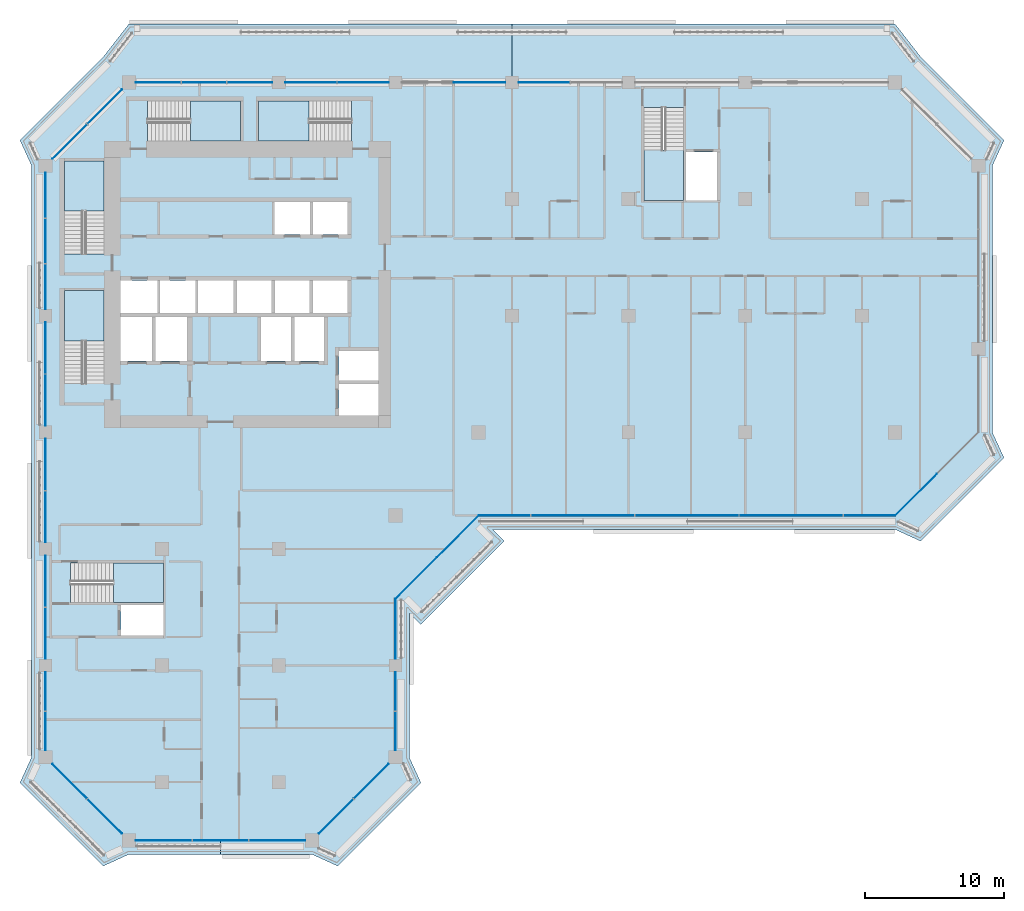
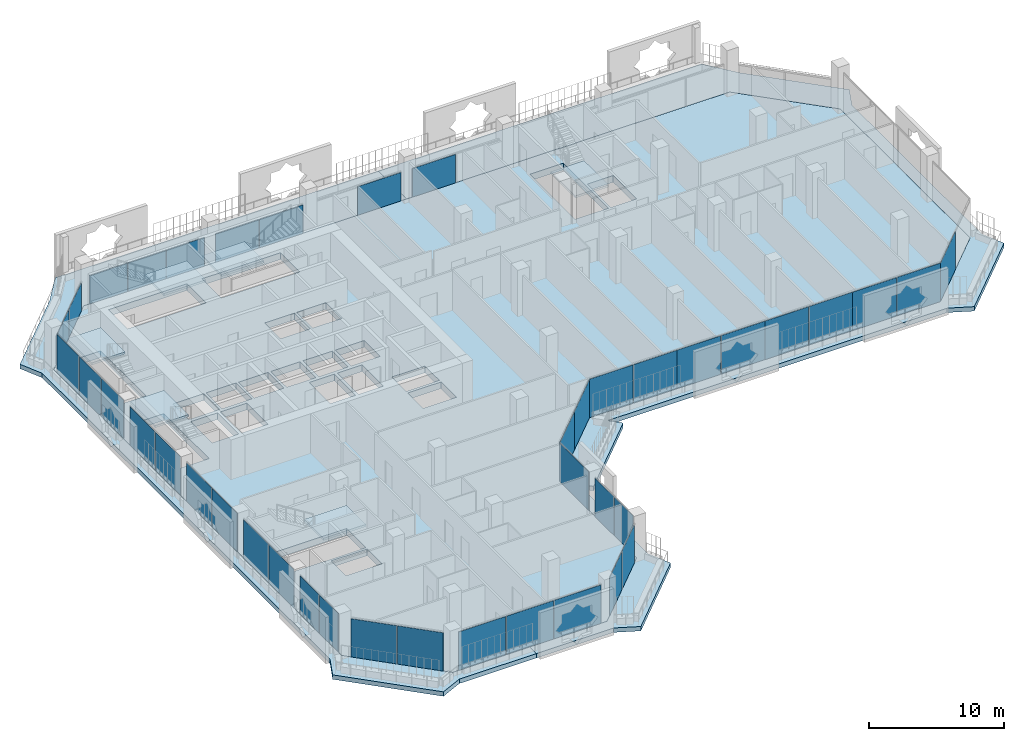
# One storey, part 8 of 21: 41 plates, 9 slabs, 16 elements without a shape of their own.
"""IFC4 building model written with IfcOpenShell, lengths in metres."""

from ifc_helpers import new_model, si_unit, direction, frame, origin, origin_2d, place, context, subcontext, project, spatial, polyline, rectangle, outline, extrude, material, layer, layer_set, type_object, element, aggregate, save


model = new_model("IFC4")

# Units and contexts
model_context = context("Model", 3, precision=1e-05, world=origin(), true_north=direction((0.0, 1.0)))
body_context = subcontext(model_context, "Body", "Model", "MODEL_VIEW")
ifc_project = project(units=[si_unit("LENGTHUNIT", "METRE"), si_unit("AREAUNIT", "SQUARE_METRE"), si_unit("VOLUMEUNIT", "CUBIC_METRE"), si_unit("PLANEANGLEUNIT", "RADIAN"), si_unit("MASSUNIT", "GRAM", prefix="KILO")], contexts=[model_context])

# Site, building, storey
site_placement = place(None, origin())
site = spatial("IfcSite", under=ifc_project, at=site_placement, CompositionType="ELEMENT")
building_placement = place(site_placement, origin())
building = spatial("IfcBuilding", under=site, at=building_placement, Name="Kawkab Arch Medical Tower", CompositionType="ELEMENT")
storey_placement = place(building_placement, frame((0.0, 0.0, 192.0)))
storey = spatial("IfcBuildingStorey", under=building, at=storey_placement, Name="L44", CompositionType="ELEMENT", Elevation=192.0)

# Curtain wall, plates
ifc_material_1 = material(Name="Bronze anodised aluminium curtain wall frame", Category="aluminium")
ifc_layer_1 = layer(ifc_material_1, 0.159912109375)
ifc_layer_set_1 = layer_set([ifc_layer_1], Name="Bronze anodised aluminium curtain wall frame")
curtain_wall_type_1 = type_object("IfcCurtainWallType", Name="CW1 ward curtain wall", PredefinedType="NOTDEFINED", material=ifc_layer_set_1)
placement_1 = place(storey_placement, origin())
curtain_wall_1 = element("IfcCurtainWall", 1, at=placement_1, inside=storey, type_object=curtain_wall_type_1, Name="CW1 Ward curtain wall R01", PredefinedType="NOTDEFINED")
ifc_material_2 = material(Name="Tinted insulating glass, bronze low-e coating", Category="glass")
ifc_layer_2 = layer(ifc_material_2, 0.031982421875)
ifc_layer_set_2 = layer_set([ifc_layer_2], Name="Tinted insulating glass, bronze low-e coating")
plate_type_1 = type_object("IfcPlateType", Name="CW1 glazing unit 32", PredefinedType="CURTAIN_PANEL", material=ifc_layer_set_2)
plate_1_placement = place(storey_placement, frame((0.0, -8.12255859375, 0.0), z_axis=(0.0, 0.0, 1.0), x_axis=(0.0, -1.0, 0.0)))
plate_1 = element("IfcPlate", 2, at=plate_1_placement, type_object=plate_type_1, Name="CW1 glazing unit 1.1", PredefinedType="CURTAIN_PANEL", context=body_context, shape_type="SweptSolid", body=[
    extrude(rectangle(XDim=3.2451171875, YDim=0.031982421875, at=origin_2d()), origin(), (0.0, 0.0, 1.0), 3.47998046875),
])
plate_2_placement = place(storey_placement, frame((0.0, -11.41259765625, 0.0), z_axis=(0.0, 0.0, 1.0), x_axis=(0.0, -1.0, 0.0)))
plate_2 = element("IfcPlate", 3, at=plate_2_placement, type_object=plate_type_1, Name="CW1 glazing unit 1.2", PredefinedType="CURTAIN_PANEL", context=body_context, shape_type="SweptSolid", body=[
    extrude(rectangle(XDim=3.215087890625, YDim=0.031982421875, at=origin_2d()), origin(), (0.0, 0.0, 1.0), 3.47998046875),
])
plate_3_placement = place(storey_placement, frame((0.0, -14.702392578125, 0.0), z_axis=(0.0, 0.0, 1.0), x_axis=(0.0, -1.0, 0.0)))
plate_3 = element("IfcPlate", 4, at=plate_3_placement, type_object=plate_type_1, Name="CW1 glazing unit 1.3", PredefinedType="CURTAIN_PANEL", context=body_context, shape_type="SweptSolid", body=[
    extrude(rectangle(XDim=3.2451171875, YDim=0.031982421875, at=origin_2d()), origin(), (0.0, 0.0, 1.0), 3.47998046875),
])
plate_4_placement = place(storey_placement, frame((0.0, -19.12255859375, 0.0), z_axis=(0.0, 0.0, 1.0), x_axis=(0.0, -1.0, 0.0)))
plate_4 = element("IfcPlate", 5, at=plate_4_placement, type_object=plate_type_1, Name="CW1 glazing unit 2.1", PredefinedType="CURTAIN_PANEL", context=body_context, shape_type="SweptSolid", body=[
    extrude(rectangle(XDim=3.695068359375, YDim=0.031982421875, at=origin_2d()), origin(), (0.0, 0.0, 1.0), 3.47998046875),
])
plate_5_placement = place(storey_placement, frame((0.0, -22.87744140625, 0.0), z_axis=(0.0, 0.0, 1.0), x_axis=(0.0, -1.0, 0.0)))
plate_5 = element("IfcPlate", 6, at=plate_5_placement, type_object=plate_type_1, Name="CW1 glazing unit 2.2", PredefinedType="CURTAIN_PANEL", context=body_context, shape_type="SweptSolid", body=[
    extrude(rectangle(XDim=3.695068359375, YDim=0.031982421875, at=origin_2d()), origin(), (0.0, 0.0, 1.0), 3.47998046875),
])
plate_6_placement = place(storey_placement, frame((0.0, -27.5224609375, 0.0), z_axis=(0.0, 0.0, 1.0), x_axis=(0.0, -1.0, 0.0)))
plate_6 = element("IfcPlate", 7, at=plate_6_placement, type_object=plate_type_1, Name="CW1 glazing unit 3.1", PredefinedType="CURTAIN_PANEL", context=body_context, shape_type="SweptSolid", body=[
    extrude(rectangle(XDim=3.695068359375, YDim=0.031982421875, at=origin_2d()), origin(), (0.0, 0.0, 1.0), 3.47998046875),
])
plate_7_placement = place(storey_placement, frame((0.0, -31.277587890625, 0.0), z_axis=(0.0, 0.0, 1.0), x_axis=(0.0, -1.0, 0.0)))
plate_7 = element("IfcPlate", 8, at=plate_7_placement, type_object=plate_type_1, Name="CW1 glazing unit 3.2", PredefinedType="CURTAIN_PANEL", context=body_context, shape_type="SweptSolid", body=[
    extrude(rectangle(XDim=3.695068359375, YDim=0.031982421875, at=origin_2d()), origin(), (0.0, 0.0, 1.0), 3.47998046875),
])
plate_8_placement = place(storey_placement, frame((0.0, -35.922607421875, 0.0), z_axis=(0.0, 0.0, 1.0), x_axis=(0.0, -1.0, 0.0)))
plate_8 = element("IfcPlate", 9, at=plate_8_placement, type_object=plate_type_1, Name="CW1 glazing unit 4.1", PredefinedType="CURTAIN_PANEL", context=body_context, shape_type="SweptSolid", body=[
    extrude(rectangle(XDim=3.695068359375, YDim=0.031982421875, at=origin_2d()), origin(), (0.0, 0.0, 1.0), 3.47998046875),
])
plate_9_placement = place(storey_placement, frame((0.0, -39.677490234375, 0.0), z_axis=(0.0, 0.0, 1.0), x_axis=(0.0, -1.0, 0.0)))
plate_9 = element("IfcPlate", 10, at=plate_9_placement, type_object=plate_type_1, Name="CW1 glazing unit 4.2", PredefinedType="CURTAIN_PANEL", context=body_context, shape_type="SweptSolid", body=[
    extrude(rectangle(XDim=3.695068359375, YDim=0.031982421875, at=origin_2d()), origin(), (0.0, 0.0, 1.0), 3.47998046875),
])
plate_10_placement = place(storey_placement, frame((0.0, -43.8662109375, 0.0), z_axis=(0.0, 0.0, 1.0), x_axis=(0.0, -1.0, 0.0)))
plate_10 = element("IfcPlate", 11, at=plate_10_placement, type_object=plate_type_1, Name="CW1 glazing unit 5.1", PredefinedType="CURTAIN_PANEL", context=body_context, shape_type="SweptSolid", body=[
    extrude(rectangle(XDim=2.782470703125, YDim=0.031982421875, at=origin_2d()), origin(), (0.0, 0.0, 1.0), 3.47998046875),
])
plate_11_placement = place(storey_placement, frame((0.0, -46.708740234375, 0.0), z_axis=(0.0, 0.0, 1.0), x_axis=(0.0, -1.0, 0.0)))
plate_11 = element("IfcPlate", 12, at=plate_11_placement, type_object=plate_type_1, Name="CW1 glazing unit 5.2", PredefinedType="CURTAIN_PANEL", context=body_context, shape_type="SweptSolid", body=[
    extrude(rectangle(XDim=2.782470703125, YDim=0.031982421875, at=origin_2d()), origin(), (0.0, 0.0, 1.0), 3.47998046875),
])
aggregate(curtain_wall_1, [plate_1, plate_2, plate_3, plate_4, plate_5, plate_6, plate_7, plate_8, plate_9, plate_10, plate_11])

curtain_wall_2 = element("IfcCurtainWall", 13, at=placement_1, inside=storey, type_object=curtain_wall_type_1, Name="CW1 Ward curtain wall R03", PredefinedType="NOTDEFINED")
plate_12_placement = place(storey_placement, frame((8.518310546875, -54.60009765625, 0.0), z_axis=(0.0, 0.0, 1.0), x_axis=(1.0, 0.0, 0.0)))
plate_12 = element("IfcPlate", 14, at=plate_12_placement, type_object=plate_type_1, Name="CW1 glazing unit 1.1", PredefinedType="CURTAIN_PANEL", context=body_context, shape_type="SweptSolid", body=[
    extrude(rectangle(XDim=4.03662109375, YDim=0.031982421875, at=origin_2d()), origin(), (0.0, 0.0, 1.0), 3.47998046875),
])
plate_13_placement = place(storey_placement, frame((12.60009765625, -54.60009765625, 0.0), z_axis=(0.0, 0.0, 1.0), x_axis=(1.0, 0.0, 0.0)))
plate_13 = element("IfcPlate", 15, at=plate_13_placement, type_object=plate_type_1, Name="CW1 glazing unit 1.2", PredefinedType="CURTAIN_PANEL", context=body_context, shape_type="SweptSolid", body=[
    extrude(rectangle(XDim=4.006591796875, YDim=0.031982421875, at=origin_2d()), origin(), (0.0, 0.0, 1.0), 3.47998046875),
])
plate_14_placement = place(storey_placement, frame((16.681640625, -54.60009765625, 0.0), z_axis=(0.0, 0.0, 1.0), x_axis=(1.0, 0.0, 0.0)))
plate_14 = element("IfcPlate", 16, at=plate_14_placement, type_object=plate_type_1, Name="CW1 glazing unit 1.3", PredefinedType="CURTAIN_PANEL", context=body_context, shape_type="SweptSolid", body=[
    extrude(rectangle(XDim=4.03662109375, YDim=0.031982421875, at=origin_2d()), origin(), (0.0, 0.0, 1.0), 3.47998046875),
])
aggregate(curtain_wall_2, [plate_12, plate_13, plate_14])

curtain_wall_3 = element("IfcCurtainWall", 17, at=placement_1, inside=storey, type_object=curtain_wall_type_1, Name="CW1 Ward curtain wall R05", PredefinedType="NOTDEFINED")
plate_15_placement = place(storey_placement, frame((25.199951171875, -46.708740234375, 0.0), z_axis=(0.0, 0.0, 1.0), x_axis=(0.0, 1.0, 0.0)))
plate_15 = element("IfcPlate", 18, at=plate_15_placement, type_object=plate_type_1, Name="CW1 glazing unit 1.1", PredefinedType="CURTAIN_PANEL", context=body_context, shape_type="SweptSolid", body=[
    extrude(rectangle(XDim=2.782470703125, YDim=0.031982421875, at=origin_2d()), origin(), (0.0, 0.0, 1.0), 3.47998046875),
])
plate_16_placement = place(storey_placement, frame((25.199951171875, -43.8662109375, 0.0), z_axis=(0.0, 0.0, 1.0), x_axis=(0.0, 1.0, 0.0)))
plate_16 = element("IfcPlate", 19, at=plate_16_placement, type_object=plate_type_1, Name="CW1 glazing unit 1.2", PredefinedType="CURTAIN_PANEL", context=body_context, shape_type="SweptSolid", body=[
    extrude(rectangle(XDim=2.782470703125, YDim=0.031982421875, at=origin_2d()), origin(), (0.0, 0.0, 1.0), 3.47998046875),
])
plate_17_placement = place(storey_placement, frame((25.199951171875, -39.362548828125, 0.0), z_axis=(0.0, 0.0, 1.0), x_axis=(0.0, 1.0, 0.0)))
plate_17 = element("IfcPlate", 20, at=plate_17_placement, type_object=plate_type_1, Name="CW1 glazing unit 2.1", PredefinedType="CURTAIN_PANEL", context=body_context, shape_type="SweptSolid", body=[
    extrude(rectangle(XDim=4.324951171875, YDim=0.031982421875, at=origin_2d()), origin(), (0.0, 0.0, 1.0), 3.47998046875),
])
aggregate(curtain_wall_3, [plate_15, plate_16, plate_17])

curtain_wall_4 = element("IfcCurtainWall", 21, at=placement_1, inside=storey, type_object=curtain_wall_type_1, Name="CW1 Ward curtain wall R07", PredefinedType="NOTDEFINED")
plate_18_placement = place(storey_placement, frame((33.06005859375, -31.199951171875, 0.0), z_axis=(0.0, 0.0, 1.0), x_axis=(1.0, 0.0, 0.0)))
plate_18 = element("IfcPlate", 22, at=plate_18_placement, type_object=plate_type_1, Name="CW1 glazing unit 1.1", PredefinedType="CURTAIN_PANEL", context=body_context, shape_type="SweptSolid", body=[
    extrude(rectangle(XDim=3.719970703125, YDim=0.031982421875, at=origin_2d()), origin(), (0.0, 0.0, 1.0), 3.47998046875),
])
plate_19_placement = place(storey_placement, frame((36.840087890625, -31.199951171875, 0.0), z_axis=(0.0, 0.0, 1.0), x_axis=(1.0, 0.0, 0.0)))
plate_19 = element("IfcPlate", 23, at=plate_19_placement, type_object=plate_type_1, Name="CW1 glazing unit 1.2", PredefinedType="CURTAIN_PANEL", context=body_context, shape_type="SweptSolid", body=[
    extrude(rectangle(XDim=3.719970703125, YDim=0.031982421875, at=origin_2d()), origin(), (0.0, 0.0, 1.0), 3.47998046875),
])
plate_20_placement = place(storey_placement, frame((40.56005859375, -31.199951171875, 0.0), z_axis=(0.0, 0.0, 1.0), x_axis=(1.0, 0.0, 0.0)))
plate_20 = element("IfcPlate", 24, at=plate_20_placement, type_object=plate_type_1, Name="CW1 glazing unit 2.1", PredefinedType="CURTAIN_PANEL", context=body_context, shape_type="SweptSolid", body=[
    extrude(rectangle(XDim=3.719970703125, YDim=0.031982421875, at=origin_2d()), origin(), (0.0, 0.0, 1.0), 3.47998046875),
])
plate_21_placement = place(storey_placement, frame((44.340087890625, -31.199951171875, 0.0), z_axis=(0.0, 0.0, 1.0), x_axis=(1.0, 0.0, 0.0)))
plate_21 = element("IfcPlate", 25, at=plate_21_placement, type_object=plate_type_1, Name="CW1 glazing unit 2.2", PredefinedType="CURTAIN_PANEL", context=body_context, shape_type="SweptSolid", body=[
    extrude(rectangle(XDim=3.719970703125, YDim=0.031982421875, at=origin_2d()), origin(), (0.0, 0.0, 1.0), 3.47998046875),
])
plate_22_placement = place(storey_placement, frame((48.06005859375, -31.199951171875, 0.0), z_axis=(0.0, 0.0, 1.0), x_axis=(1.0, 0.0, 0.0)))
plate_22 = element("IfcPlate", 26, at=plate_22_placement, type_object=plate_type_1, Name="CW1 glazing unit 3.1", PredefinedType="CURTAIN_PANEL", context=body_context, shape_type="SweptSolid", body=[
    extrude(rectangle(XDim=3.719970703125, YDim=0.031982421875, at=origin_2d()), origin(), (0.0, 0.0, 1.0), 3.47998046875),
])
plate_23_placement = place(storey_placement, frame((51.840087890625, -31.199951171875, 0.0), z_axis=(0.0, 0.0, 1.0), x_axis=(1.0, 0.0, 0.0)))
plate_23 = element("IfcPlate", 27, at=plate_23_placement, type_object=plate_type_1, Name="CW1 glazing unit 3.2", PredefinedType="CURTAIN_PANEL", context=body_context, shape_type="SweptSolid", body=[
    extrude(rectangle(XDim=3.719970703125, YDim=0.031982421875, at=origin_2d()), origin(), (0.0, 0.0, 1.0), 3.47998046875),
])
plate_24_placement = place(storey_placement, frame((55.56005859375, -31.199951171875, 0.0), z_axis=(0.0, 0.0, 1.0), x_axis=(1.0, 0.0, 0.0)))
plate_24 = element("IfcPlate", 28, at=plate_24_placement, type_object=plate_type_1, Name="CW1 glazing unit 4.1", PredefinedType="CURTAIN_PANEL", context=body_context, shape_type="SweptSolid", body=[
    extrude(rectangle(XDim=3.719970703125, YDim=0.031982421875, at=origin_2d()), origin(), (0.0, 0.0, 1.0), 3.47998046875),
])
plate_25_placement = place(storey_placement, frame((59.340087890625, -31.199951171875, 0.0), z_axis=(0.0, 0.0, 1.0), x_axis=(1.0, 0.0, 0.0)))
plate_25 = element("IfcPlate", 29, at=plate_25_placement, type_object=plate_type_1, Name="CW1 glazing unit 4.2", PredefinedType="CURTAIN_PANEL", context=body_context, shape_type="SweptSolid", body=[
    extrude(rectangle(XDim=3.719970703125, YDim=0.031982421875, at=origin_2d()), origin(), (0.0, 0.0, 1.0), 3.47998046875),
])
aggregate(curtain_wall_4, [plate_18, plate_19, plate_20, plate_21, plate_22, plate_23, plate_24, plate_25])

curtain_wall_5 = element("IfcCurtainWall", 30, at=placement_1, inside=storey, type_object=curtain_wall_type_1, Name="CW1 Ward curtain wall R11", PredefinedType="NOTDEFINED")
plate_26_placement = place(storey_placement, frame((35.922607421875, 0.0, 0.0), z_axis=(0.0, 0.0, 1.0), x_axis=(-1.0, 0.0, 0.0)))
plate_26 = element("IfcPlate", 31, at=plate_26_placement, type_object=plate_type_1, Name="CW1 glazing unit 3.2", PredefinedType="CURTAIN_PANEL", context=body_context, shape_type="SweptSolid", body=[
    extrude(rectangle(XDim=3.695068359375, YDim=0.031982421875, at=origin_2d()), origin(), (0.0, 0.0, 1.0), 2.580078125),
])
plate_27_placement = place(storey_placement, frame((31.262451171875, 0.0, 0.0), z_axis=(0.0, 0.0, 1.0), x_axis=(-1.0, 0.0, 0.0)))
plate_27 = element("IfcPlate", 32, at=plate_27_placement, type_object=plate_type_1, Name="CW1 glazing unit 4.1", PredefinedType="CURTAIN_PANEL", context=body_context, shape_type="SweptSolid", body=[
    extrude(rectangle(XDim=3.72509765625, YDim=0.031982421875, at=origin_2d()), origin(), (0.0, 0.0, 1.0), 2.580078125),
])
plate_28_placement = place(storey_placement, frame((22.87744140625, 0.0, 0.0), z_axis=(0.0, 0.0, 1.0), x_axis=(-1.0, 0.0, 0.0)))
plate_28 = element("IfcPlate", 33, at=plate_28_placement, type_object=plate_type_1, Name="CW1 glazing unit 5.1", PredefinedType="CURTAIN_PANEL", context=body_context, shape_type="SweptSolid", body=[
    extrude(rectangle(XDim=3.695068359375, YDim=0.031982421875, at=origin_2d()), origin(), (0.0, 0.0, 1.0), 2.580078125),
])
plate_29_placement = place(storey_placement, frame((19.12255859375, 0.0, 0.0), z_axis=(0.0, 0.0, 1.0), x_axis=(-1.0, 0.0, 0.0)))
plate_29 = element("IfcPlate", 34, at=plate_29_placement, type_object=plate_type_1, Name="CW1 glazing unit 5.2", PredefinedType="CURTAIN_PANEL", context=body_context, shape_type="SweptSolid", body=[
    extrude(rectangle(XDim=3.695068359375, YDim=0.031982421875, at=origin_2d()), origin(), (0.0, 0.0, 1.0), 2.580078125),
])
plate_30_placement = place(storey_placement, frame((14.702392578125, 0.0, 0.0), z_axis=(0.0, 0.0, 1.0), x_axis=(-1.0, 0.0, 0.0)))
plate_30 = element("IfcPlate", 35, at=plate_30_placement, type_object=plate_type_1, Name="CW1 glazing unit 6.1", PredefinedType="CURTAIN_PANEL", context=body_context, shape_type="SweptSolid", body=[
    extrude(rectangle(XDim=3.2451171875, YDim=0.031982421875, at=origin_2d()), origin(), (0.0, 0.0, 1.0), 2.580078125),
])
plate_31_placement = place(storey_placement, frame((11.41259765625, 0.0, 0.0), z_axis=(0.0, 0.0, 1.0), x_axis=(-1.0, 0.0, 0.0)))
plate_31 = element("IfcPlate", 36, at=plate_31_placement, type_object=plate_type_1, Name="CW1 glazing unit 6.2", PredefinedType="CURTAIN_PANEL", context=body_context, shape_type="SweptSolid", body=[
    extrude(rectangle(XDim=3.215087890625, YDim=0.031982421875, at=origin_2d()), origin(), (0.0, 0.0, 1.0), 2.580078125),
])
plate_32_placement = place(storey_placement, frame((8.12255859375, 0.0, 0.0), z_axis=(0.0, 0.0, 1.0), x_axis=(-1.0, 0.0, 0.0)))
plate_32 = element("IfcPlate", 37, at=plate_32_placement, type_object=plate_type_1, Name="CW1 glazing unit 6.3", PredefinedType="CURTAIN_PANEL", context=body_context, shape_type="SweptSolid", body=[
    extrude(rectangle(XDim=3.2451171875, YDim=0.031982421875, at=origin_2d()), origin(), (0.0, 0.0, 1.0), 2.580078125),
])
aggregate(curtain_wall_5, [plate_26, plate_27, plate_28, plate_29, plate_30, plate_31, plate_32])

ifc_material_3 = material(Name="Bronze anodised aluminium curtain wall frame", Category="aluminium")
ifc_layer_3 = layer(ifc_material_3, 0.159912109375)
ifc_layer_set_3 = layer_set([ifc_layer_3], Name="Bronze anodised aluminium curtain wall frame")
curtain_wall_type_2 = type_object("IfcCurtainWallType", Name="CW2 chamfer curtain wall", PredefinedType="NOTDEFINED", material=ifc_layer_set_3)
curtain_wall_6 = element("IfcCurtainWall", 38, at=placement_1, inside=storey, type_object=curtain_wall_type_2, Name="CW2 Chamfer curtain wall R02", PredefinedType="NOTDEFINED")
ifc_material_4 = material(Name="Tinted insulating glass, bronze low-e coating", Category="glass")
ifc_layer_4 = layer(ifc_material_4, 0.031982421875)
ifc_layer_set_4 = layer_set([ifc_layer_4], Name="Tinted insulating glass, bronze low-e coating")
plate_type_2 = type_object("IfcPlateType", Name="CW2 glazing unit 32", PredefinedType="CURTAIN_PANEL", material=ifc_layer_set_4)
plate_33_placement = place(storey_placement, frame((1.739501953125, -50.33935546875, 0.0), z_axis=(0.0, 0.0, 1.0), x_axis=(0.707106781187, -0.707106781187, 0.0)))
plate_33 = element("IfcPlate", 39, at=plate_33_placement, type_object=plate_type_2, Name="CW2 glazing unit 1.1", PredefinedType="CURTAIN_PANEL", context=body_context, shape_type="SweptSolid", body=[
    extrude(rectangle(XDim=3.505615234375, YDim=0.031982421875, at=origin_2d()), origin(), (0.0, 0.0, 1.0), 3.4599609375),
])
plate_34_placement = place(storey_placement, frame((4.260498046875, -52.860595703125, 0.0), z_axis=(0.0, 0.0, 1.0), x_axis=(0.707106781187, -0.707106781187, 0.0)))
plate_34 = element("IfcPlate", 40, at=plate_34_placement, type_object=plate_type_2, Name="CW2 glazing unit 1.2", PredefinedType="CURTAIN_PANEL", context=body_context, shape_type="SweptSolid", body=[
    extrude(rectangle(XDim=3.505615234375, YDim=0.031982421875, at=origin_2d()), origin(), (0.0, 0.0, 1.0), 3.4599609375),
])
aggregate(curtain_wall_6, [plate_33, plate_34])

curtain_wall_7 = element("IfcCurtainWall", 41, at=placement_1, inside=storey, type_object=curtain_wall_type_2, Name="CW2 Chamfer curtain wall R04", PredefinedType="NOTDEFINED")
plate_35_placement = place(storey_placement, frame((20.939453125, -52.860595703125, 0.0), z_axis=(0.0, 0.0, 1.0), x_axis=(0.707106781187, 0.707106781187, 0.0)))
plate_35 = element("IfcPlate", 42, at=plate_35_placement, type_object=plate_type_2, Name="CW2 glazing unit 1.1", PredefinedType="CURTAIN_PANEL", context=body_context, shape_type="SweptSolid", body=[
    extrude(rectangle(XDim=3.505615234375, YDim=0.031982421875, at=origin_2d()), origin(), (0.0, 0.0, 1.0), 3.4599609375),
])
plate_36_placement = place(storey_placement, frame((23.460693359375, -50.33935546875, 0.0), z_axis=(0.0, 0.0, 1.0), x_axis=(0.707106781187, 0.707106781187, 0.0)))
plate_36 = element("IfcPlate", 43, at=plate_36_placement, type_object=plate_type_2, Name="CW2 glazing unit 1.2", PredefinedType="CURTAIN_PANEL", context=body_context, shape_type="SweptSolid", body=[
    extrude(rectangle(XDim=3.505615234375, YDim=0.031982421875, at=origin_2d()), origin(), (0.0, 0.0, 1.0), 3.4599609375),
])
aggregate(curtain_wall_7, [plate_35, plate_36])

curtain_wall_8 = element("IfcCurtainWall", 44, at=placement_1, inside=storey, type_object=curtain_wall_type_2, Name="CW2 Chamfer curtain wall R06", PredefinedType="NOTDEFINED")
plate_37_placement = place(storey_placement, frame((26.699951171875, -35.699951171875, 0.0), z_axis=(0.0, 0.0, 1.0), x_axis=(0.707106781187, 0.707106781187, 0.0)))
plate_37 = element("IfcPlate", 45, at=plate_37_placement, type_object=plate_type_2, Name="CW2 glazing unit 1.1", PredefinedType="CURTAIN_PANEL", context=body_context, shape_type="SweptSolid", body=[
    extrude(rectangle(XDim=4.24267578125, YDim=0.031982421875, at=origin_2d()), origin(), (0.0, 0.0, 1.0), 3.4599609375),
])
plate_38_placement = place(storey_placement, frame((29.699951171875, -32.699951171875, 0.0), z_axis=(0.0, 0.0, 1.0), x_axis=(0.707106781187, 0.707106781187, 0.0)))
plate_38 = element("IfcPlate", 46, at=plate_38_placement, type_object=plate_type_2, Name="CW2 glazing unit 2.1", PredefinedType="CURTAIN_PANEL", context=body_context, shape_type="SweptSolid", body=[
    extrude(rectangle(XDim=4.24267578125, YDim=0.031982421875, at=origin_2d()), origin(), (0.0, 0.0, 1.0), 3.4599609375),
])
aggregate(curtain_wall_8, [plate_37, plate_38])

# Curtain wall, plate
curtain_wall_9 = element("IfcCurtainWall", 47, at=placement_1, inside=storey, type_object=curtain_wall_type_2, Name="CW2 Chamfer curtain wall R08", PredefinedType="NOTDEFINED")
plate_39_placement = place(storey_placement, frame((62.699951171875, -29.699951171875, 0.0), z_axis=(0.0, 0.0, 1.0), x_axis=(0.707106781187, 0.707106781187, 0.0)))
plate_39 = element("IfcPlate", 48, at=plate_39_placement, type_object=plate_type_2, Name="CW2 glazing unit 1.1", PredefinedType="CURTAIN_PANEL", context=body_context, shape_type="SweptSolid", body=[
    extrude(rectangle(XDim=4.24267578125, YDim=0.031982421875, at=origin_2d()), origin(), (0.0, 0.0, 1.0), 3.4599609375),
])
aggregate(curtain_wall_9, [plate_39])

# Curtain wall, plates
curtain_wall_10 = element("IfcCurtainWall", 49, at=placement_1, inside=storey, type_object=curtain_wall_type_2, Name="CW2 Chamfer curtain wall R12", PredefinedType="NOTDEFINED")
plate_40_placement = place(storey_placement, frame((4.260498046875, -1.739501953125, 0.0), z_axis=(0.0, 0.0, 1.0), x_axis=(-0.707106781187, -0.707106781187, 0.0)))
plate_40 = element("IfcPlate", 50, at=plate_40_placement, type_object=plate_type_2, Name="CW2 glazing unit 1.1", PredefinedType="CURTAIN_PANEL", context=body_context, shape_type="SweptSolid", body=[
    extrude(rectangle(XDim=3.505615234375, YDim=0.031982421875, at=origin_2d()), origin(), (0.0, 0.0, 1.0), 2.56005859375),
])
plate_41_placement = place(storey_placement, frame((1.739501953125, -4.260498046875, 0.0), z_axis=(0.0, 0.0, 1.0), x_axis=(-0.707106781187, -0.707106781187, 0.0)))
plate_41 = element("IfcPlate", 51, at=plate_41_placement, type_object=plate_type_2, Name="CW2 glazing unit 1.2", PredefinedType="CURTAIN_PANEL", context=body_context, shape_type="SweptSolid", body=[
    extrude(rectangle(XDim=3.505615234375, YDim=0.031982421875, at=origin_2d()), origin(), (0.0, 0.0, 1.0), 2.56005859375),
])
aggregate(curtain_wall_10, [plate_40, plate_41])

# Stair, slab
ifc_material_5 = material(Name="Concrete C40/50", Category="concrete")
stair_type = type_object("IfcStairType", Name="Exit stair 1350", PredefinedType="HALF_TURN_STAIR", material=ifc_material_5)
stair_1 = element("IfcStair", 52, at=placement_1, inside=storey, type_object=stair_type, Name="L44 Exit stair ST1", PredefinedType="HALF_TURN_STAIR")
ifc_material_6 = material(Name="Concrete C40/50", Category="concrete")
ifc_layer_5 = layer(ifc_material_6, 0.199951171875)
ifc_layer_set_5 = layer_set([ifc_layer_5], Name="Concrete C40/50")
slab_type_1 = type_object("IfcSlabType", Name="Exit stair landing 200", PredefinedType="LANDING", material=ifc_layer_set_5)
placement_2 = place(storey_placement, frame((0.0, 0.0, 1.89990234375)))
slab_1 = element("IfcSlab", 53, at=placement_2, type_object=slab_type_1, Name="ST1 landing 1", PredefinedType="LANDING", context=body_context, shape_type="SweptSolid", body=[
    extrude(outline(polyline([(4.199951171875, -9.27001953125), (4.199951171875, -5.64990234375), (1.35009765625, -5.64990234375), (1.35009765625, -9.27001953125), (4.199951171875, -9.27001953125)])), origin(), (0.0, 0.0, 1.0), 0.2001953125),
])
aggregate(stair_1, [slab_1])

stair_2 = element("IfcStair", 54, at=placement_1, inside=storey, type_object=stair_type, Name="L44 Exit stair ST2", PredefinedType="HALF_TURN_STAIR")
slab_2 = element("IfcSlab", 55, at=placement_2, type_object=slab_type_1, Name="ST2 landing 1", PredefinedType="LANDING", context=body_context, shape_type="SweptSolid", body=[
    extrude(outline(polyline([(4.199951171875, -18.6201171875), (4.199951171875, -15.0), (1.35009765625, -15.0), (1.35009765625, -18.6201171875), (4.199951171875, -18.6201171875)])), origin(), (0.0, 0.0, 1.0), 0.2001953125),
])
aggregate(stair_2, [slab_2])

stair_3 = element("IfcStair", 56, at=placement_1, inside=storey, type_object=stair_type, Name="L44 Exit stair ST3", PredefinedType="HALF_TURN_STAIR")
slab_3 = element("IfcSlab", 57, at=placement_2, type_object=slab_type_1, Name="ST3 landing 1", PredefinedType="LANDING", context=body_context, shape_type="SweptSolid", body=[
    extrude(outline(polyline([(10.429931640625, -4.199951171875), (14.050048828125, -4.199951171875), (14.050048828125, -1.35009765625), (10.429931640625, -1.35009765625), (10.429931640625, -4.199951171875)])), origin(), (0.0, 0.0, 1.0), 0.2001953125),
])
aggregate(stair_3, [slab_3])

stair_4 = element("IfcStair", 58, at=placement_1, inside=storey, type_object=stair_type, Name="L44 Exit stair ST4", PredefinedType="HALF_TURN_STAIR")
slab_4 = element("IfcSlab", 59, at=placement_2, type_object=slab_type_1, Name="ST4 landing 1", PredefinedType="LANDING", context=body_context, shape_type="SweptSolid", body=[
    extrude(outline(polyline([(18.969970703125, -1.35009765625), (15.35009765625, -1.35009765625), (15.35009765625, -4.199951171875), (18.969970703125, -4.199951171875), (18.969970703125, -1.35009765625)])), origin(), (0.0, 0.0, 1.0), 0.2001953125),
])
aggregate(stair_4, [slab_4])

stair_5 = element("IfcStair", 60, at=placement_1, inside=storey, type_object=stair_type, Name="L44 Exit stair ST5", PredefinedType="HALF_TURN_STAIR")
slab_5 = element("IfcSlab", 61, at=placement_2, type_object=slab_type_1, Name="ST5 landing 1", PredefinedType="LANDING", context=body_context, shape_type="SweptSolid", body=[
    extrude(outline(polyline([(43.10009765625, -4.8798828125), (43.10009765625, -8.5), (45.949951171875, -8.5), (45.949951171875, -4.8798828125), (43.10009765625, -4.8798828125)])), origin(), (0.0, 0.0, 1.0), 0.2001953125),
])
aggregate(stair_5, [slab_5])

stair_6 = element("IfcStair", 62, at=placement_1, inside=storey, type_object=stair_type, Name="L44 Exit stair ST6", PredefinedType="HALF_TURN_STAIR")
slab_6 = element("IfcSlab", 63, at=placement_2, type_object=slab_type_1, Name="ST6 landing 1", PredefinedType="LANDING", context=body_context, shape_type="SweptSolid", body=[
    extrude(outline(polyline([(4.8798828125, -37.449951171875), (8.5, -37.449951171875), (8.5, -34.60009765625), (4.8798828125, -34.60009765625), (4.8798828125, -37.449951171875)])), origin(), (0.0, 0.0, 1.0), 0.2001953125),
])
aggregate(stair_6, [slab_6])

# Slabs
ifc_material_7 = material(Name="Concrete C45/55", Category="concrete")
ifc_layer_6 = layer(ifc_material_7, 0.60009765625)
ifc_layer_set_6 = layer_set([ifc_layer_6], Name="Concrete C45/55")
slab_type_2 = type_object("IfcSlabType", Name="Flat plate 600 C45/55", PredefinedType="FLOOR", material=ifc_layer_set_6)
slab_7_placement = place(storey_placement, frame((0.0, 0.0, -0.60009765625)))
element("IfcSlab", 64, at=slab_7_placement, inside=storey, type_object=slab_type_2, Name="Floor slab L44", PredefinedType="FLOOR", context=body_context, shape_type="SweptSolid", body=[
    extrude(outline(polyline([(6.0, 0.0), (61.199951171875, 0.0), (67.199951171875, -6.0), (67.199951171875, -25.199951171875), (61.199951171875, -31.199951171875), (31.199951171875, -31.199951171875), (25.199951171875, -37.199951171875), (25.199951171875, -48.60009765625), (19.199951171875, -54.60009765625), (6.0, -54.60009765625), (0.0, -48.60009765625), (0.0, -6.0), (6.0, 0.0)]), holes=[polyline([(5.425048828125, -37.64990234375), (5.425048828125, -39.85009765625), (8.5, -39.85009765625), (8.5, -37.64990234375), (5.425048828125, -37.64990234375)]), polyline([(8.5, -37.449951171875), (8.5, -34.60009765625), (1.800048828125, -34.60009765625), (1.800048828125, -37.449951171875), (8.5, -37.449951171875)]), polyline([(5.39990234375, -20.050048828125), (7.675048828125, -20.050048828125), (7.675048828125, -16.89990234375), (5.39990234375, -16.89990234375), (5.39990234375, -20.050048828125)]), polyline([(10.199951171875, -20.050048828125), (10.199951171875, -16.89990234375), (7.925048828125, -16.89990234375), (7.925048828125, -20.050048828125), (10.199951171875, -20.050048828125)]), polyline([(4.199951171875, -21.699951171875), (4.199951171875, -15.0), (1.35009765625, -15.0), (1.35009765625, -21.699951171875), (4.199951171875, -21.699951171875)]), polyline([(5.39990234375, -16.60009765625), (8.050048828125, -16.60009765625), (8.050048828125, -14.25), (5.39990234375, -14.25), (5.39990234375, -16.60009765625)]), polyline([(8.25, -16.60009765625), (10.800048828125, -16.60009765625), (10.800048828125, -14.25), (8.25, -14.25), (8.25, -16.60009765625)]), polyline([(11.0, -14.25), (11.0, -16.60009765625), (13.52490234375, -16.60009765625), (13.52490234375, -14.25), (11.0, -14.25)]), polyline([(13.77490234375, -16.60009765625), (16.27490234375, -16.60009765625), (16.27490234375, -14.25), (13.77490234375, -14.25), (13.77490234375, -16.60009765625)]), polyline([(4.199951171875, -12.35009765625), (4.199951171875, -5.64990234375), (1.35009765625, -5.64990234375), (1.35009765625, -12.35009765625), (4.199951171875, -12.35009765625)]), polyline([(7.35009765625, -4.199951171875), (14.050048828125, -4.199951171875), (14.050048828125, -1.35009765625), (7.35009765625, -1.35009765625), (7.35009765625, -4.199951171875)]), polyline([(24.0, -21.72509765625), (21.14990234375, -21.72509765625), (21.14990234375, -24.0), (24.0, -24.0), (24.0, -21.72509765625)]), polyline([(24.0, -19.35009765625), (21.14990234375, -19.35009765625), (21.14990234375, -21.47509765625), (24.0, -21.47509765625), (24.0, -19.35009765625)]), polyline([(17.675048828125, -16.89990234375), (15.52490234375, -16.89990234375), (15.52490234375, -20.050048828125), (17.675048828125, -20.050048828125), (17.675048828125, -16.89990234375)]), polyline([(20.050048828125, -20.050048828125), (20.050048828125, -16.89990234375), (17.925048828125, -16.89990234375), (17.925048828125, -20.050048828125), (20.050048828125, -20.050048828125)]), polyline([(19.02490234375, -16.60009765625), (19.02490234375, -14.25), (16.52490234375, -14.25), (16.52490234375, -16.60009765625), (19.02490234375, -16.60009765625)]), polyline([(21.75, -16.60009765625), (21.75, -14.25), (19.27490234375, -14.25), (19.27490234375, -16.60009765625), (21.75, -16.60009765625)]), polyline([(19.050048828125, -8.60009765625), (16.5, -8.60009765625), (16.5, -10.949951171875), (19.050048828125, -10.949951171875), (19.050048828125, -8.60009765625)]), polyline([(21.75, -10.949951171875), (21.75, -8.60009765625), (19.25, -8.60009765625), (19.25, -10.949951171875), (21.75, -10.949951171875)]), polyline([(46.14990234375, -8.5), (48.35009765625, -8.5), (48.35009765625, -5.02490234375), (46.14990234375, -5.02490234375), (46.14990234375, -8.5)]), polyline([(43.10009765625, -1.800048828125), (43.10009765625, -8.5), (45.949951171875, -8.5), (45.949951171875, -1.800048828125), (43.10009765625, -1.800048828125)]), polyline([(22.050048828125, -1.35009765625), (15.35009765625, -1.35009765625), (15.35009765625, -4.199951171875), (22.050048828125, -4.199951171875), (22.050048828125, -1.35009765625)])]), origin(), (0.0, 0.0, 1.0), 0.60009765625),
])
ifc_material_8 = material(Name="Concrete C40/50", Category="concrete")
ifc_layer_7 = layer(ifc_material_8, 0.39990234375)
ifc_layer_set_7 = layer_set([ifc_layer_7], Name="Concrete C40/50")
slab_type_3 = type_object("IfcSlabType", Name="Loggia slab 400", PredefinedType="FLOOR", material=ifc_layer_set_7)
placement_3 = place(storey_placement, frame((0.0, 0.0, -0.39990234375)))
element("IfcSlab", 65, at=placement_3, inside=storey, type_object=slab_type_3, Name="Loggia slab L44.3", PredefinedType="FLOOR", context=body_context, shape_type="SweptSolid", body=[
    extrude(outline(polyline([(-1.837890625, -50.43701171875), (-1.0, -48.60009765625), (-1.0, -6.0), (-1.837890625, -4.1630859375), (4.162109375, 1.837890625), (5.9990234375, 4.198974609375), (6.0009765625, 4.198974609375), (6.0009765625, 4.199951171875), (33.59912109375, 4.199951171875), (33.59912109375, 4.198974609375), (33.60009765625, 4.198974609375), (33.60009765625, 0.001953125), (33.59912109375, 0.001953125), (33.59912109375, 0.0009765625), (6.0, 0.0009765625), (-0.0009765625, -6.0), (-0.0009765625, -48.60009765625), (6.0, -54.60107421875), (12.59912109375, -54.60107421875), (12.59912109375, -54.60205078125), (12.60009765625, -54.60205078125), (12.60009765625, -55.59912109375), (12.59912109375, -55.59912109375), (12.59912109375, -55.60009765625), (6.0, -55.60009765625), (4.1630859375, -56.43798828125), (-1.837890625, -50.43701171875)])), origin(), (0.0, 0.0, 1.0), 0.39990234375),
])
element("IfcSlab", 66, at=placement_3, inside=storey, type_object=slab_type_3, Name="Loggia slab L44.4", PredefinedType="FLOOR", context=body_context, shape_type="SweptSolid", body=[
    extrude(outline(polyline([(12.60107421875, -55.60009765625), (12.60107421875, -55.59912109375), (12.60009765625, -55.59912109375), (12.60009765625, -54.60205078125), (12.60107421875, -54.60205078125), (12.60107421875, -54.60107421875), (19.199951171875, -54.60107421875), (25.199951171875, -48.60009765625), (25.199951171875, -37.200927734375), (31.200927734375, -31.199951171875), (61.199951171875, -31.199951171875), (67.200927734375, -25.199951171875), (67.200927734375, -6.0), (61.199951171875, 0.0009765625), (33.60107421875, 0.0009765625), (33.60107421875, 0.001953125), (33.60009765625, 0.001953125), (33.60009765625, 4.198974609375), (33.60107421875, 4.198974609375), (33.60107421875, 4.199951171875), (61.198974609375, 4.199951171875), (61.198974609375, 4.198974609375), (61.200927734375, 4.198974609375), (63.0380859375, 1.837890625), (69.0380859375, -4.1630859375), (68.199951171875, -6.0), (68.199951171875, -25.199951171875), (69.0380859375, -27.037109375), (63.037109375, -33.0380859375), (61.199951171875, -32.199951171875), (32.198974609375, -32.199951171875), (33.035888671875, -33.0380859375), (27.0380859375, -39.035888671875), (26.199951171875, -38.198974609375), (26.199951171875, -48.60009765625), (27.0380859375, -50.43701171875), (21.037109375, -56.43798828125), (19.199951171875, -55.60009765625), (12.60107421875, -55.60009765625)])), origin(), (0.0, 0.0, 1.0), 0.39990234375),
])

save(model, "model.ifc")
